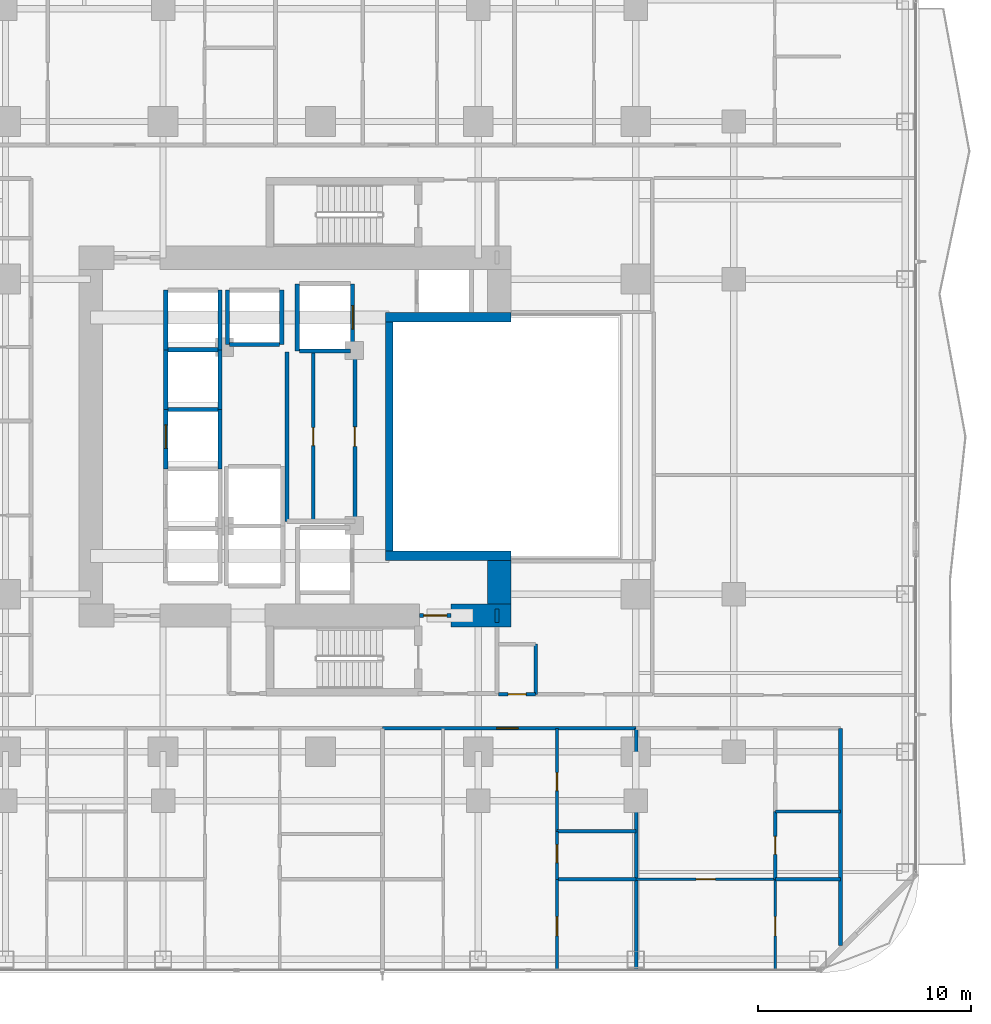
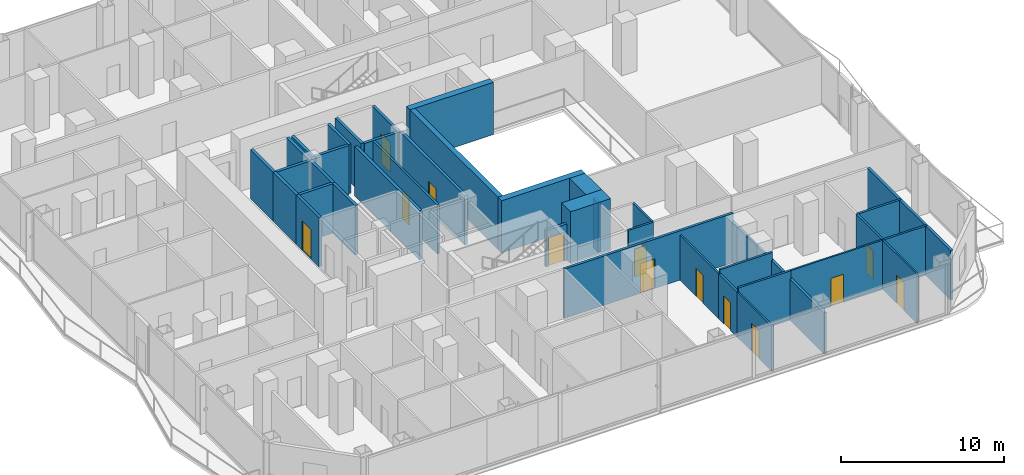
# One storey, part 22 of 30: 39 walls, 13 doors, 13 openings.
"""IFC4 building model written with IfcOpenShell, lengths in metres."""

from ifc_helpers import new_model, si_unit, direction, frame, frame_2d, origin, place, context, subcontext, project, spatial, rectangle, extrude, material, layer, layer_set, type_object, element, fill, save


model = new_model("IFC4")

# Units and contexts
model_context = context("Model", 3, precision=1e-05, world=origin(), true_north=direction((0.0, 1.0)))
body_context = subcontext(model_context, "Body", "Model", "MODEL_VIEW")
ifc_project = project(units=[si_unit("LENGTHUNIT", "METRE"), si_unit("AREAUNIT", "SQUARE_METRE"), si_unit("VOLUMEUNIT", "CUBIC_METRE"), si_unit("PLANEANGLEUNIT", "RADIAN"), si_unit("MASSUNIT", "GRAM", prefix="KILO")], contexts=[model_context])

# Site, building, storey
site_placement = place(None, origin())
site = spatial("IfcSite", under=ifc_project, at=site_placement, CompositionType="ELEMENT")
building_placement = place(site_placement, origin())
building = spatial("IfcBuilding", under=site, at=building_placement, Name="Khorvyn Point Tower", CompositionType="ELEMENT")
storey_placement = place(building_placement, frame((0.0, 0.0, 30.60009765625)))
storey = spatial("IfcBuildingStorey", under=building, at=storey_placement, Name="L08", CompositionType="ELEMENT", Elevation=30.60009765625)

# Wall, opening, door
ifc_material_1 = material(Name="Double acoustic gypsum on twin steel stud", Category="steel")
ifc_layer_1 = layer(ifc_material_1, 0.179931640625)
ifc_layer_set_1 = layer_set([ifc_layer_1], Name="Acoustic Double-Stud Apartment Demising Wall 180")
wall_type_1 = type_object("IfcWallType", Name="Acoustic Double-Stud Apartment Demising Wall 180", PredefinedType="PARTITIONING", material=ifc_layer_set_1)
wall_1_placement = place(storey_placement, frame((2.89990234375, -13.699951171875, 0.0), z_axis=(0.0, 0.0, 1.0), x_axis=(1.0, 0.0, 0.0)))
wall_1 = element("IfcWall", 1, at=wall_1_placement, inside=storey, type_object=wall_type_1, Name="Wall", PredefinedType="PARTITIONING", context=body_context, shape_type="SweptSolid", body=[
    extrude(rectangle(XDim=11.922119140625, YDim=0.179931640625, at=frame_2d((5.9609375, 0.0))), origin(), (0.0, 0.0, 1.0), 3.679931640625),
])
opening_1_placement = place(wall_1_placement, frame((5.37109375, 0.0, 0.0)))
opening_1 = element("IfcOpeningElement", 2, at=opening_1_placement, cuts=wall_1, Name="Opening ID-AP60", PredefinedType="OPENING", context=body_context, shape_type="SweptSolid", body=[
    extrude(rectangle(XDim=1.0, YDim=2.199951171875, at=frame_2d((0.5, 1.10009765625))), frame((0.0, 0.099853515625, 0.0), z_axis=(0.0, -1.0, 0.0), x_axis=(1.0, 0.0, 0.0)), (0.0, 0.0, 1.0), 0.199951171875),
])
ifc_material_2 = material(Name="Engineered hardwood fire-rated leaf", Category="wood")
door_type_1 = type_object("IfcDoorType", Name="Acoustic Solid-Core Timber Apartment Entrance Door 1000x2200", OperationType="NOTDEFINED", PredefinedType="DOOR", material=ifc_material_2)
door_1_placement = place(opening_1_placement, origin())
door_1 = element("IfcDoor", 3, at=door_1_placement, inside=storey, type_object=door_type_1, Name="Door", OperationType="SINGLE_SWING_RIGHT", OverallHeight=2.199951171875, OverallWidth=1.0, PredefinedType="DOOR", context=body_context, shape_type="SweptSolid", body=[
    extrude(rectangle(XDim=1.0, YDim=2.199951171875, at=frame_2d((0.5, 1.10009765625))), frame((0.0, 0.02490234375, 0.0), z_axis=(0.0, -1.0, 0.0), x_axis=(1.0, 0.0, 0.0)), (0.0, 0.0, 1.0), 0.050048828125),
])
fill(opening_1, door_1)

# Walls
wall_2_placement = place(storey_placement, frame((24.419921875, -23.909912109375, 0.0), z_axis=(0.0, 0.0, 1.0), x_axis=(0.0, 1.0, 0.0)))
element("IfcWall", 4, at=wall_2_placement, inside=storey, type_object=wall_type_1, Name="Wall", PredefinedType="PARTITIONING", context=body_context, shape_type="SweptSolid", body=[
    extrude(rectangle(XDim=10.2099609375, YDim=0.179931640625, at=frame_2d((5.10498046875, 0.0))), origin(), (0.0, 0.0, 1.0), 3.679931640625),
])
wall_3_placement = place(storey_placement, frame((14.822021484375, -25.030029296875, 0.0), z_axis=(0.0, 0.0, 1.0), x_axis=(0.0, 1.0, 0.0)))
element("IfcWall", 5, at=wall_3_placement, inside=storey, type_object=wall_type_1, Name="Wall", PredefinedType="PARTITIONING", context=body_context, shape_type="SweptSolid", body=[
    extrude(rectangle(XDim=11.330078125, YDim=0.179931640625, at=frame_2d((5.6650390625, 0.0))), origin(), (0.0, 0.0, 1.0), 3.081787109375),
])
ifc_material_3 = material(Name="Concrete C40/50", Category="concrete")
ifc_layer_2 = layer(ifc_material_3, 0.449951171875)
ifc_layer_set_2 = layer_set([ifc_layer_2], Name="Concrete C40/50 Core Shear Wall 450")
wall_type_2 = type_object("IfcWallType", Name="Concrete C40/50 Core Shear Wall 450", PredefinedType="SHEAR", material=ifc_layer_set_2)
for number, where, z_axis, x_axis, name in (
    (6, (3.044921875, -5.60009765625, 0.0), (0.0, 0.0, 1.0), (1.0, 0.0, 0.0), "Wall"),
    (7, (3.044921875, 5.60009765625, 0.0), (0.0, 0.0, 1.0), (1.0, 0.0, 0.0), "Wall"),
):
    element("IfcWall", number, at=place(storey_placement, frame(where, z_axis=z_axis, x_axis=x_axis)), inside=storey, type_object=wall_type_2, Name=name, PredefinedType="SHEAR", context=body_context, shape_type="SweptSolid", body=[
        extrude(rectangle(XDim=5.905029296875, YDim=0.449951171875, at=frame_2d((2.95263671875, 0.0))), origin(), (0.0, 0.0, 1.0), 3.89990234375),
    ])

# Wall, opening, door
ifc_layer_3 = layer(ifc_material_3, 0.199951171875)
ifc_layer_set_3 = layer_set([ifc_layer_3], Name="Concrete C40/50 Fire-Lobby Compartment Wall 200")
wall_type_3 = type_object("IfcWallType", Name="Concrete C40/50 Fire-Lobby Compartment Wall 200", PredefinedType="SOLIDWALL", material=ifc_layer_set_3)
wall_4_placement = place(storey_placement, frame((4.64990234375, -8.39990234375, 0.0), z_axis=(0.0, 0.0, 1.0), x_axis=(1.0, 0.0, 0.0)))
wall_4 = element("IfcWall", 8, at=wall_4_placement, inside=storey, type_object=wall_type_3, Name="Wall", PredefinedType="SOLIDWALL", context=body_context, shape_type="SweptSolid", body=[
    extrude(rectangle(XDim=1.47021484375, YDim=0.199951171875, at=frame_2d((0.735107421875, 0.0))), origin(), (0.0, 0.0, 1.0), 2.719970703125),
])
opening_2_placement = place(wall_4_placement, frame((0.18505859375, 0.0, 0.0)))
opening_2 = element("IfcOpeningElement", 9, at=opening_2_placement, cuts=wall_4, Name="Opening ID-FL90", PredefinedType="OPENING", context=body_context, shape_type="SweptSolid", body=[
    extrude(rectangle(XDim=1.10009765625, YDim=2.14990234375, at=frame_2d((0.550048828125, 1.074951171875))), frame((0.0, 0.10986328125, 0.0), z_axis=(0.0, -1.0, 0.0), x_axis=(1.0, 0.0, 0.0)), (0.0, 0.0, 1.0), 0.219970703125),
])
ifc_material_4 = material(Name="Galvanised powder-coated steel", Category="steel")
door_type_2 = type_object("IfcDoorType", Name="Fire-Rated Steel Lobby and Stair Door 1100x2150", OperationType="NOTDEFINED", PredefinedType="DOOR", material=ifc_material_4)
door_2_placement = place(opening_2_placement, origin())
door_2 = element("IfcDoor", 10, at=door_2_placement, inside=storey, type_object=door_type_2, Name="Door", OperationType="SINGLE_SWING_LEFT", OverallHeight=2.14990234375, OverallWidth=1.10009765625, PredefinedType="DOOR", context=body_context, shape_type="SweptSolid", body=[
    extrude(rectangle(XDim=1.10009765625, YDim=2.14990234375, at=frame_2d((0.550048828125, 1.074951171875))), frame((0.0, 0.02490234375, 0.0), z_axis=(0.0, -1.0, 0.0), x_axis=(1.0, 0.0, 0.0)), (0.0, 0.0, 1.0), 0.050048828125),
])
fill(opening_2, door_2)

wall_5_placement = place(storey_placement, frame((1.610107421875, -3.97998046875, 0.0), z_axis=(0.0, 0.0, 1.0), x_axis=(0.0, 1.0, 0.0)))
wall_5 = element("IfcWall", 11, at=wall_5_placement, inside=storey, type_object=wall_type_3, Name="Wall", PredefinedType="SOLIDWALL", context=body_context, shape_type="SweptSolid", body=[
    extrude(rectangle(XDim=7.9599609375, YDim=0.199951171875, at=frame_2d((3.97998046875, 0.0))), origin(), (0.0, 0.0, 1.0), 3.679931640625),
])
opening_3_placement = place(wall_5_placement, frame((3.52001953125, 0.0, 0.0)))
opening_3 = element("IfcOpeningElement", 12, at=opening_3_placement, cuts=wall_5, Name="Opening ID-RS60", PredefinedType="OPENING", context=body_context, shape_type="SweptSolid", body=[
    extrude(rectangle(XDim=0.919921875, YDim=2.10009765625, at=frame_2d((0.4599609375, 1.050048828125))), frame((0.0, 0.10986328125, 0.0), z_axis=(0.0, -1.0, 0.0), x_axis=(1.0, 0.0, 0.0)), (0.0, 0.0, 1.0), 0.219970703125),
])
door_type_3 = type_object("IfcDoorType", Name="Fire-Rated Riser and Store Steel Door 920x2100", OperationType="NOTDEFINED", PredefinedType="DOOR", material=ifc_material_4)
door_3_placement = place(opening_3_placement, origin())
door_3 = element("IfcDoor", 13, at=door_3_placement, inside=storey, type_object=door_type_3, Name="Door", OperationType="SINGLE_SWING_LEFT", OverallHeight=2.10009765625, OverallWidth=0.919921875, PredefinedType="DOOR", context=body_context, shape_type="SweptSolid", body=[
    extrude(rectangle(XDim=0.919921875, YDim=2.10009765625, at=frame_2d((0.4599609375, 1.050048828125))), frame((0.0, 0.02490234375, 0.0), z_axis=(0.0, -1.0, 0.0), x_axis=(1.0, 0.0, 0.0)), (0.0, 0.0, 1.0), 0.050048828125),
])
fill(opening_3, door_3)

# Walls
wall_6_placement = place(storey_placement, frame((-1.580078125, -3.97998046875, 0.0), z_axis=(0.0, 0.0, 1.0), x_axis=(0.0, 1.0, 0.0)))
element("IfcWall", 14, at=wall_6_placement, inside=storey, type_object=wall_type_3, Name="Wall", PredefinedType="SOLIDWALL", context=body_context, shape_type="SweptSolid", body=[
    extrude(rectangle(XDim=7.9599609375, YDim=0.199951171875, at=frame_2d((3.97998046875, 0.0))), origin(), (0.0, 0.0, 1.0), 3.679931640625),
])
wall_7_placement = place(storey_placement, frame((8.280029296875, -8.72509765625, 0.0), z_axis=(0.0, 0.0, 1.0), x_axis=(0.0, 1.0, 0.0)))
element("IfcWall", 15, at=wall_7_placement, inside=storey, type_object=wall_type_3, Name="Wall", PredefinedType="SOLIDWALL", context=body_context, shape_type="SweptSolid", body=[
    extrude(rectangle(XDim=0.625, YDim=0.199951171875, at=frame_2d((0.3125, 0.0))), origin(), (0.0, 0.0, 1.0), 3.679931640625),
])
ifc_layer_4 = layer(ifc_material_3, 0.35009765625)
ifc_layer_set_4 = layer_set([ifc_layer_4], Name="Concrete C40/50 Stair Shaft Structural Wall 350")
wall_type_4 = type_object("IfcWallType", Name="Concrete C40/50 Stair Shaft Structural Wall 350", PredefinedType="SHEAR", material=ifc_layer_set_4)
wall_8_placement = place(storey_placement, frame((3.219970703125, -5.375, 0.0), z_axis=(0.0, 0.0, 1.0), x_axis=(0.0, 1.0, 0.0)))
element("IfcWall", 16, at=wall_8_placement, inside=storey, type_object=wall_type_4, Name="Wall", PredefinedType="SHEAR", context=body_context, shape_type="SweptSolid", body=[
    extrude(rectangle(XDim=10.75, YDim=0.35009765625, at=frame_2d((5.375, 0.0))), origin(), (0.0, 0.0, 1.0), 3.89990234375),
])

# Wall, opening, door
ifc_layer_5 = layer(ifc_material_3, 0.199951171875)
ifc_layer_set_5 = layer_set([ifc_layer_5], Name="Concrete C40/50 Structural Hoistway and Stair Shaft Wall 200")
wall_type_5 = type_object("IfcWallType", Name="Concrete C40/50 Structural Hoistway and Stair Shaft Wall 200", PredefinedType="SHEAR", material=ifc_layer_set_5)
wall_9_placement = place(storey_placement, frame((-7.27490234375, -1.52490234375, 0.0), z_axis=(0.0, 0.0, 1.0), x_axis=(0.0, 1.0, 0.0)))
wall_9 = element("IfcWall", 17, at=wall_9_placement, inside=storey, type_object=wall_type_5, Name="Wall", PredefinedType="SHEAR", context=body_context, shape_type="SweptSolid", body=[
    extrude(rectangle(XDim=2.7998046875, YDim=0.199951171875, at=frame_2d((1.39990234375, 0.0))), origin(), (0.0, 0.0, 1.0), 3.679931640625),
])
opening_4_placement = place(wall_9_placement, frame((0.97509765625, 0.0, 0.0)))
opening_4 = element("IfcOpeningElement", 18, at=opening_4_placement, cuts=wall_9, Name="Opening LD-1122", PredefinedType="OPENING", context=body_context, shape_type="SweptSolid", body=[
    extrude(rectangle(XDim=1.10009765625, YDim=2.199951171875, at=frame_2d((0.550048828125, 1.10009765625))), frame((0.0, 0.10986328125, 0.0), z_axis=(0.0, -1.0, 0.0), x_axis=(1.0, 0.0, 0.0)), (0.0, 0.0, 1.0), 0.219970703125),
])
ifc_material_5 = material(Name="Stainless steel 1.4301", Category="steel")
door_type_4 = type_object("IfcDoorType", Name="Stainless Steel Automatic Sliding Lift Landing Door 1100x2200", OperationType="SLIDING_TO_LEFT", PredefinedType="DOOR", material=ifc_material_5)
door_4_placement = place(opening_4_placement, origin())
door_4 = element("IfcDoor", 19, at=door_4_placement, inside=storey, type_object=door_type_4, Name="L08 RL-03 Sliding Lift Landing Door", OperationType="SLIDING_TO_LEFT", OverallHeight=2.199951171875, OverallWidth=1.10009765625, PredefinedType="DOOR", context=body_context, shape_type="SweptSolid", body=[
    extrude(rectangle(XDim=1.10009765625, YDim=2.199951171875, at=frame_2d((0.550048828125, 1.10009765625))), frame((0.0, 0.02490234375, 0.0), z_axis=(0.0, -1.0, 0.0), x_axis=(1.0, 0.0, 0.0)), (0.0, 0.0, 1.0), 0.050048828125),
])
fill(opening_4, door_4)

# Walls
wall_10_placement = place(storey_placement, frame((-4.72509765625, -1.52490234375, 0.0), z_axis=(0.0, 0.0, 1.0), x_axis=(0.0, 1.0, 0.0)))
element("IfcWall", 20, at=wall_10_placement, inside=storey, type_object=wall_type_5, Name="Wall", PredefinedType="SHEAR", context=body_context, shape_type="SweptSolid", body=[
    extrude(rectangle(XDim=2.7998046875, YDim=0.199951171875, at=frame_2d((1.39990234375, 0.0))), origin(), (0.0, 0.0, 1.0), 3.679931640625),
])
wall_11_placement = place(storey_placement, frame((-7.175048828125, 1.27490234375, 0.0), z_axis=(0.0, 0.0, 1.0), x_axis=(1.0, 0.0, 0.0)))
element("IfcWall", 21, at=wall_11_placement, inside=storey, type_object=wall_type_5, Name="Wall", PredefinedType="SHEAR", context=body_context, shape_type="SweptSolid", body=[
    extrude(rectangle(XDim=2.35009765625, YDim=0.199951171875, at=frame_2d((1.175048828125, 0.0))), origin(), (0.0, 0.0, 1.0), 3.679931640625),
])
for number, where, z_axis, x_axis, name in (
    (22, (-7.27490234375, 1.27490234375, 0.0), (0.0, 0.0, 1.0), (0.0, 1.0, 0.0), "Wall"),
    (23, (-4.72509765625, 1.27490234375, 0.0), (0.0, 0.0, 1.0), (0.0, 1.0, 0.0), "Wall"),
):
    element("IfcWall", number, at=place(storey_placement, frame(where, z_axis=z_axis, x_axis=x_axis)), inside=storey, type_object=wall_type_5, Name=name, PredefinedType="SHEAR", context=body_context, shape_type="SweptSolid", body=[
        extrude(rectangle(XDim=2.800048828125, YDim=0.199951171875, at=frame_2d((1.39990234375, 0.0))), origin(), (0.0, 0.0, 1.0), 3.679931640625),
    ])
wall_12_placement = place(storey_placement, frame((-7.175048828125, 4.074951171875, 0.0), z_axis=(0.0, 0.0, 1.0), x_axis=(1.0, 0.0, 0.0)))
element("IfcWall", 24, at=wall_12_placement, inside=storey, type_object=wall_type_5, Name="Wall", PredefinedType="SHEAR", context=body_context, shape_type="SweptSolid", body=[
    extrude(rectangle(XDim=2.35009765625, YDim=0.199951171875, at=frame_2d((1.175048828125, 0.0))), origin(), (0.0, 0.0, 1.0), 3.679931640625),
])
for number, where, z_axis, x_axis, name in (
    (25, (-7.27490234375, 4.074951171875, 0.0), (0.0, 0.0, 1.0), (0.0, 1.0, 0.0), "Wall"),
    (26, (-4.72509765625, 4.074951171875, 0.0), (0.0, 0.0, 1.0), (0.0, 1.0, 0.0), "Wall"),
):
    element("IfcWall", number, at=place(storey_placement, frame(where, z_axis=z_axis, x_axis=x_axis)), inside=storey, type_object=wall_type_5, Name=name, PredefinedType="SHEAR", context=body_context, shape_type="SweptSolid", body=[
        extrude(rectangle(XDim=2.800048828125, YDim=0.199951171875, at=frame_2d((1.39990234375, 0.0))), origin(), (0.0, 0.0, 1.0), 3.679931640625),
    ])
for number, where, z_axis, x_axis, name in (
    (27, (-4.375, 4.324951171875, 0.0), (0.0, 0.0, 1.0), (0.0, 1.0, 0.0), "Wall"),
    (28, (-1.824951171875, 4.324951171875, 0.0), (0.0, 0.0, 1.0), (0.0, 1.0, 0.0), "Wall"),
):
    element("IfcWall", number, at=place(storey_placement, frame(where, z_axis=z_axis, x_axis=x_axis)), inside=storey, type_object=wall_type_5, Name=name, PredefinedType="SHEAR", context=body_context, shape_type="SweptSolid", body=[
        extrude(rectangle(XDim=2.550048828125, YDim=0.199951171875, at=frame_2d((1.27490234375, 0.0))), origin(), (0.0, 0.0, 1.0), 3.679931640625),
    ])
wall_13_placement = place(storey_placement, frame((-4.27490234375, 4.324951171875, 0.0), z_axis=(0.0, 0.0, 1.0), x_axis=(1.0, 0.0, 0.0)))
element("IfcWall", 29, at=wall_13_placement, inside=storey, type_object=wall_type_5, Name="Wall", PredefinedType="SHEAR", context=body_context, shape_type="SweptSolid", body=[
    extrude(rectangle(XDim=2.349853515625, YDim=0.199951171875, at=frame_2d((1.1748046875, 0.0))), origin(), (0.0, 0.0, 1.0), 3.679931640625),
])
wall_14_placement = place(storey_placement, frame((-1.10009765625, 4.02490234375, 0.0), z_axis=(0.0, 0.0, 1.0), x_axis=(0.0, 1.0, 0.0)))
element("IfcWall", 30, at=wall_14_placement, inside=storey, type_object=wall_type_5, Name="Wall", PredefinedType="SHEAR", context=body_context, shape_type="SweptSolid", body=[
    extrude(rectangle(XDim=3.150146484375, YDim=0.199951171875, at=frame_2d((1.5751953125, 0.0))), origin(), (0.0, 0.0, 1.0), 3.679931640625),
])

# Wall, opening, door
wall_15_placement = place(storey_placement, frame((1.5, 4.02490234375, 0.0), z_axis=(0.0, 0.0, 1.0), x_axis=(0.0, 1.0, 0.0)))
wall_15 = element("IfcWall", 31, at=wall_15_placement, inside=storey, type_object=wall_type_5, Name="Wall", PredefinedType="SHEAR", context=body_context, shape_type="SweptSolid", body=[
    extrude(rectangle(XDim=3.150146484375, YDim=0.199951171875, at=frame_2d((1.5751953125, 0.0))), origin(), (0.0, 0.0, 1.0), 3.679931640625),
])
opening_5_placement = place(wall_15_placement, frame((1.02490234375, 0.0, 0.0)))
opening_5 = element("IfcOpeningElement", 32, at=opening_5_placement, cuts=wall_15, Name="Opening LD-1122", PredefinedType="OPENING", context=body_context, shape_type="SweptSolid", body=[
    extrude(rectangle(XDim=1.10009765625, YDim=2.199951171875, at=frame_2d((0.550048828125, 1.10009765625))), frame((0.0, 0.10986328125, 0.0), z_axis=(0.0, -1.0, 0.0), x_axis=(1.0, 0.0, 0.0)), (0.0, 0.0, 1.0), 0.219970703125),
])
door_5_placement = place(opening_5_placement, origin())
door_5 = element("IfcDoor", 33, at=door_5_placement, inside=storey, type_object=door_type_4, Name="L08 SV-01 Sliding Lift Landing Door", OperationType="SLIDING_TO_LEFT", OverallHeight=2.199951171875, OverallWidth=1.10009765625, PredefinedType="DOOR", context=body_context, shape_type="SweptSolid", body=[
    extrude(rectangle(XDim=1.10009765625, YDim=2.199951171875, at=frame_2d((0.550048828125, 1.10009765625))), frame((0.0, 0.02490234375, 0.0), z_axis=(0.0, -1.0, 0.0), x_axis=(1.0, 0.0, 0.0)), (0.0, 0.0, 1.0), 0.050048828125),
])
fill(opening_5, door_5)

# Walls
wall_16_placement = place(storey_placement, frame((-1.0, 4.02490234375, 0.0), z_axis=(0.0, 0.0, 1.0), x_axis=(1.0, 0.0, 0.0)))
element("IfcWall", 34, at=wall_16_placement, inside=storey, type_object=wall_type_5, Name="Wall", PredefinedType="SHEAR", context=body_context, shape_type="SweptSolid", body=[
    extrude(rectangle(XDim=2.39990234375, YDim=0.199951171875, at=frame_2d((1.199951171875, 0.0))), origin(), (0.0, 0.0, 1.0), 3.679931640625),
])
ifc_material_6 = material(Name="Concrete C50/60", Category="concrete")
ifc_layer_6 = layer(ifc_material_6, 1.10009765625)
ifc_layer_set_6 = layer_set([ifc_layer_6], Name="Concrete C50/60 Core Shear Wall 1100")
wall_type_6 = type_object("IfcWallType", Name="Concrete C50/60 Core Shear Wall 1100", PredefinedType="SHEAR", material=ifc_layer_set_6)
wall_17_placement = place(storey_placement, frame((6.1201171875, -8.39990234375, 0.0), z_axis=(0.0, 0.0, 1.0), x_axis=(1.0, 0.0, 0.0)))
element("IfcWall", 35, at=wall_17_placement, inside=storey, type_object=wall_type_6, Name="Wall", PredefinedType="SHEAR", context=body_context, shape_type="SweptSolid", body=[
    extrude(rectangle(XDim=2.829833984375, YDim=1.10009765625, at=frame_2d((1.4150390625, 0.0))), origin(), (0.0, 0.0, 1.0), 3.89990234375),
])
wall_18_placement = place(storey_placement, frame((8.39990234375, -7.85009765625, 0.0), z_axis=(0.0, 0.0, 1.0), x_axis=(0.0, 1.0, 0.0)))
element("IfcWall", 36, at=wall_18_placement, inside=storey, type_object=wall_type_6, Name="Wall", PredefinedType="SHEAR", context=body_context, shape_type="SweptSolid", body=[
    extrude(rectangle(XDim=2.025146484375, YDim=1.10009765625, at=frame_2d((1.0126953125, 0.0))), origin(), (0.0, 0.0, 1.0), 3.89990234375),
])

# Wall, opening, door
ifc_material_7 = material(Name="Gypsum plasterboard on steel stud", Category="steel")
ifc_layer_7 = layer(ifc_material_7, 0.1201171875)
ifc_layer_set_7 = layer_set([ifc_layer_7], Name="Gypsum Acoustic Stud Room Partition Wall 120")
wall_type_7 = type_object("IfcWallType", Name="Gypsum Acoustic Stud Room Partition Wall 120", PredefinedType="PARTITIONING", material=ifc_layer_set_7)
wall_19_placement = place(storey_placement, frame((11.10205078125, -18.534912109375, 0.0), z_axis=(0.0, 0.0, 1.0), x_axis=(0.0, 1.0, 0.0)))
wall_19 = element("IfcWall", 37, at=wall_19_placement, inside=storey, type_object=wall_type_7, Name="Wall", PredefinedType="PARTITIONING", context=body_context, shape_type="SweptSolid", body=[
    extrude(rectangle(XDim=4.8349609375, YDim=0.1201171875, at=frame_2d((2.41748046875, 0.0))), origin(), (0.0, 0.0, 1.0), 3.369873046875),
])
opening_6_placement = place(wall_19_placement, frame((1.9052734375, 0.0, 0.0)))
opening_6 = element("IfcOpeningElement", 38, at=opening_6_placement, cuts=wall_19, Name="Opening ID-WC85", PredefinedType="OPENING", context=body_context, shape_type="SweptSolid", body=[
    extrude(rectangle(XDim=0.85009765625, YDim=2.10009765625, at=frame_2d((0.425048828125, 1.050048828125))), frame((0.0, 0.070068359375, 0.0), z_axis=(0.0, -1.0, 0.0), x_axis=(1.0, 0.0, 0.0)), (0.0, 0.0, 1.0), 0.14013671875),
])
ifc_material_8 = material(Name="High-pressure laminate on moisture-resistant core", Category="wood")
door_type_5 = type_object("IfcDoorType", Name="Moisture-Resistant Accessible Washroom Door 850x2100", OperationType="NOTDEFINED", PredefinedType="DOOR", material=ifc_material_8)
door_6_placement = place(opening_6_placement, origin())
door_6 = element("IfcDoor", 39, at=door_6_placement, inside=storey, type_object=door_type_5, Name="Door", OperationType="SINGLE_SWING_RIGHT", OverallHeight=2.10009765625, OverallWidth=0.85009765625, PredefinedType="DOOR", context=body_context, shape_type="SweptSolid", body=[
    extrude(rectangle(XDim=0.85009765625, YDim=2.10009765625, at=frame_2d((0.425048828125, 1.050048828125))), frame((0.0, 0.02490234375, 0.0), z_axis=(0.0, -1.0, 0.0), x_axis=(1.0, 0.0, 0.0)), (0.0, 0.0, 1.0), 0.050048828125),
])
fill(opening_6, door_6)

wall_20_placement = place(storey_placement, frame((11.10205078125, -25.030029296875, 0.0), z_axis=(0.0, 0.0, 1.0), x_axis=(0.0, 1.0, 0.0)))
wall_20 = element("IfcWall", 40, at=wall_20_placement, inside=storey, type_object=wall_type_7, Name="Wall", PredefinedType="PARTITIONING", context=body_context, shape_type="SweptSolid", body=[
    extrude(rectangle(XDim=4.239990234375, YDim=0.1201171875, at=frame_2d((2.1201171875, 0.0))), origin(), (0.0, 0.0, 1.0), 3.369873046875),
])
opening_7_placement = place(wall_20_placement, frame((1.581298828125, 0.0, 0.0)))
opening_7 = element("IfcOpeningElement", 41, at=opening_7_placement, cuts=wall_20, Name="Opening ID-RM90", PredefinedType="OPENING", context=body_context, shape_type="SweptSolid", body=[
    extrude(rectangle(XDim=0.89990234375, YDim=2.10009765625, at=frame_2d((0.449951171875, 1.050048828125))), frame((0.0, 0.070068359375, 0.0), z_axis=(0.0, -1.0, 0.0), x_axis=(1.0, 0.0, 0.0)), (0.0, 0.0, 1.0), 0.14013671875),
])
ifc_material_9 = material(Name="Engineered oak veneer timber", Category="wood")
door_type_6 = type_object("IfcDoorType", Name="Flush Engineered Timber Room Door 900x2100", OperationType="NOTDEFINED", PredefinedType="DOOR", material=ifc_material_9)
door_7_placement = place(opening_7_placement, origin())
door_7 = element("IfcDoor", 42, at=door_7_placement, inside=storey, type_object=door_type_6, Name="Door", OperationType="SINGLE_SWING_LEFT", OverallHeight=2.10009765625, OverallWidth=0.89990234375, PredefinedType="DOOR", context=body_context, shape_type="SweptSolid", body=[
    extrude(rectangle(XDim=0.89990234375, YDim=2.10009765625, at=frame_2d((0.449951171875, 1.050048828125))), frame((0.0, 0.02490234375, 0.0), z_axis=(0.0, -1.0, 0.0), x_axis=(1.0, 0.0, 0.0)), (0.0, 0.0, 1.0), 0.050048828125),
])
fill(opening_7, door_7)

wall_21_placement = place(storey_placement, frame((14.822021484375, -20.7900390625, 0.0), z_axis=(0.0, 0.0, 1.0), x_axis=(1.0, 0.0, 0.0)))
wall_21 = element("IfcWall", 43, at=wall_21_placement, inside=storey, type_object=wall_type_7, Name="Wall", PredefinedType="PARTITIONING", context=body_context, shape_type="SweptSolid", body=[
    extrude(rectangle(XDim=6.532958984375, YDim=0.1201171875, at=frame_2d((3.2666015625, 0.0))), origin(), (0.0, 0.0, 1.0), 3.679931640625),
])
opening_8_placement = place(wall_21_placement, frame((2.81640625, 0.0, 0.0)))
opening_8 = element("IfcOpeningElement", 44, at=opening_8_placement, cuts=wall_21, Name="Opening ID-RM90", PredefinedType="OPENING", context=body_context, shape_type="SweptSolid", body=[
    extrude(rectangle(XDim=0.89990234375, YDim=2.10009765625, at=frame_2d((0.449951171875, 1.050048828125))), frame((0.0, 0.070068359375, 0.0), z_axis=(0.0, -1.0, 0.0), x_axis=(1.0, 0.0, 0.0)), (0.0, 0.0, 1.0), 0.14013671875),
])
door_8_placement = place(opening_8_placement, origin())
door_8 = element("IfcDoor", 45, at=door_8_placement, inside=storey, type_object=door_type_6, Name="Door", OperationType="SINGLE_SWING_LEFT", OverallHeight=2.10009765625, OverallWidth=0.89990234375, PredefinedType="DOOR", context=body_context, shape_type="SweptSolid", body=[
    extrude(rectangle(XDim=0.89990234375, YDim=2.10009765625, at=frame_2d((0.449951171875, 1.050048828125))), frame((0.0, 0.02490234375, 0.0), z_axis=(0.0, -1.0, 0.0), x_axis=(1.0, 0.0, 0.0)), (0.0, 0.0, 1.0), 0.050048828125),
])
fill(opening_8, door_8)

wall_22_placement = place(storey_placement, frame((21.35498046875, -25.030029296875, 0.0), z_axis=(0.0, 0.0, 1.0), x_axis=(0.0, 1.0, 0.0)))
wall_22 = element("IfcWall", 46, at=wall_22_placement, inside=storey, type_object=wall_type_7, Name="Wall", PredefinedType="PARTITIONING", context=body_context, shape_type="SweptSolid", body=[
    extrude(rectangle(XDim=4.239990234375, YDim=0.1201171875, at=frame_2d((2.1201171875, 0.0))), origin(), (0.0, 0.0, 1.0), 3.679931640625),
])
opening_9_placement = place(wall_22_placement, frame((1.581298828125, 0.0, 0.0)))
opening_9 = element("IfcOpeningElement", 47, at=opening_9_placement, cuts=wall_22, Name="Opening ID-RM90", PredefinedType="OPENING", context=body_context, shape_type="SweptSolid", body=[
    extrude(rectangle(XDim=0.89990234375, YDim=2.10009765625, at=frame_2d((0.449951171875, 1.050048828125))), frame((0.0, 0.070068359375, 0.0), z_axis=(0.0, -1.0, 0.0), x_axis=(1.0, 0.0, 0.0)), (0.0, 0.0, 1.0), 0.14013671875),
])
door_9_placement = place(opening_9_placement, origin())
door_9 = element("IfcDoor", 48, at=door_9_placement, inside=storey, type_object=door_type_6, Name="Door", OperationType="SINGLE_SWING_RIGHT", OverallHeight=2.10009765625, OverallWidth=0.89990234375, PredefinedType="DOOR", context=body_context, shape_type="SweptSolid", body=[
    extrude(rectangle(XDim=0.89990234375, YDim=2.10009765625, at=frame_2d((0.449951171875, 1.050048828125))), frame((0.0, 0.02490234375, 0.0), z_axis=(0.0, -1.0, 0.0), x_axis=(1.0, 0.0, 0.0)), (0.0, 0.0, 1.0), 0.050048828125),
])
fill(opening_9, door_9)

ifc_material_10 = material(Name="Moisture-resistant gypsum and cement board", Category="gypsum")
ifc_layer_8 = layer(ifc_material_10, 0.14990234375)
ifc_layer_set_8 = layer_set([ifc_layer_8], Name="Moisture-Resistant Wet-Room Partition Wall 150")
wall_type_8 = type_object("IfcWallType", Name="Moisture-Resistant Wet-Room Partition Wall 150", PredefinedType="PARTITIONING", material=ifc_layer_set_8)
wall_23_placement = place(storey_placement, frame((-0.35009765625, -3.97998046875, 0.0), z_axis=(0.0, 0.0, 1.0), x_axis=(0.0, 1.0, 0.0)))
wall_23 = element("IfcWall", 49, at=wall_23_placement, inside=storey, type_object=wall_type_8, Name="Wall", PredefinedType="PARTITIONING", context=body_context, shape_type="SweptSolid", body=[
    extrude(rectangle(XDim=7.9599609375, YDim=0.14990234375, at=frame_2d((3.97998046875, 0.0))), origin(), (0.0, 0.0, 1.0), 3.679931640625),
])
opening_10_placement = place(wall_23_placement, frame((3.554931640625, 0.0, 0.0)))
opening_10 = element("IfcOpeningElement", 50, at=opening_10_placement, cuts=wall_23, Name="Opening ID-WC85", PredefinedType="OPENING", context=body_context, shape_type="SweptSolid", body=[
    extrude(rectangle(XDim=0.85009765625, YDim=2.10009765625, at=frame_2d((0.425048828125, 1.050048828125))), frame((0.0, 0.0849609375, 0.0), z_axis=(0.0, -1.0, 0.0), x_axis=(1.0, 0.0, 0.0)), (0.0, 0.0, 1.0), 0.169921875),
])
door_10_placement = place(opening_10_placement, origin())
door_10 = element("IfcDoor", 51, at=door_10_placement, inside=storey, type_object=door_type_5, Name="Door", OperationType="SINGLE_SWING_RIGHT", OverallHeight=2.10009765625, OverallWidth=0.85009765625, PredefinedType="DOOR", context=body_context, shape_type="SweptSolid", body=[
    extrude(rectangle(XDim=0.85009765625, YDim=2.10009765625, at=frame_2d((0.425048828125, 1.050048828125))), frame((0.0, 0.02490234375, 0.0), z_axis=(0.0, -1.0, 0.0), x_axis=(1.0, 0.0, 0.0)), (0.0, 0.0, 1.0), 0.050048828125),
])
fill(opening_10, door_10)

wall_24_placement = place(storey_placement, frame((8.360107421875, -12.10009765625, 0.0), z_axis=(0.0, 0.0, 1.0), x_axis=(1.0, 0.0, 0.0)))
wall_24 = element("IfcWall", 52, at=wall_24_placement, inside=storey, type_object=wall_type_8, Name="Wall", PredefinedType="PARTITIONING", context=body_context, shape_type="SweptSolid", body=[
    extrude(rectangle(XDim=1.739990234375, YDim=0.14990234375, at=frame_2d((0.8701171875, 0.0))), origin(), (0.0, 0.0, 1.0), 3.679931640625),
])
opening_11_placement = place(wall_24_placement, frame((0.445068359375, 0.0, 0.0)))
opening_11 = element("IfcOpeningElement", 53, at=opening_11_placement, cuts=wall_24, Name="Opening ID-WC85", PredefinedType="OPENING", context=body_context, shape_type="SweptSolid", body=[
    extrude(rectangle(XDim=0.85009765625, YDim=2.10009765625, at=frame_2d((0.425048828125, 1.050048828125))), frame((0.0, 0.0849609375, 0.0), z_axis=(0.0, -1.0, 0.0), x_axis=(1.0, 0.0, 0.0)), (0.0, 0.0, 1.0), 0.169921875),
])
door_11_placement = place(opening_11_placement, origin())
door_11 = element("IfcDoor", 54, at=door_11_placement, inside=storey, type_object=door_type_5, Name="Door", OperationType="SINGLE_SWING_RIGHT", OverallHeight=2.10009765625, OverallWidth=0.85009765625, PredefinedType="DOOR", context=body_context, shape_type="SweptSolid", body=[
    extrude(rectangle(XDim=0.85009765625, YDim=2.10009765625, at=frame_2d((0.425048828125, 1.050048828125))), frame((0.0, 0.02490234375, 0.0), z_axis=(0.0, -1.0, 0.0), x_axis=(1.0, 0.0, 0.0)), (0.0, 0.0, 1.0), 0.050048828125),
])
fill(opening_11, door_11)

wall_25_placement = place(storey_placement, frame((11.10205078125, -20.7900390625, 0.0), z_axis=(0.0, 0.0, 1.0), x_axis=(0.0, 1.0, 0.0)))
wall_25 = element("IfcWall", 55, at=wall_25_placement, inside=storey, type_object=wall_type_8, Name="Wall", PredefinedType="PARTITIONING", context=body_context, shape_type="SweptSolid", body=[
    extrude(rectangle(XDim=2.255126953125, YDim=0.14990234375, at=frame_2d((1.12744140625, 0.0))), origin(), (0.0, 0.0, 1.0), 3.369873046875),
])
opening_12_placement = place(wall_25_placement, frame((0.780029296875, 0.0, 0.0)))
opening_12 = element("IfcOpeningElement", 56, at=opening_12_placement, cuts=wall_25, Name="Opening ID-WC85", PredefinedType="OPENING", context=body_context, shape_type="SweptSolid", body=[
    extrude(rectangle(XDim=0.85009765625, YDim=2.10009765625, at=frame_2d((0.425048828125, 1.050048828125))), frame((0.0, 0.0849609375, 0.0), z_axis=(0.0, -1.0, 0.0), x_axis=(1.0, 0.0, 0.0)), (0.0, 0.0, 1.0), 0.169921875),
])
door_12_placement = place(opening_12_placement, origin())
door_12 = element("IfcDoor", 57, at=door_12_placement, inside=storey, type_object=door_type_5, Name="Door", OperationType="SINGLE_SWING_LEFT", OverallHeight=2.10009765625, OverallWidth=0.85009765625, PredefinedType="DOOR", context=body_context, shape_type="SweptSolid", body=[
    extrude(rectangle(XDim=0.85009765625, YDim=2.10009765625, at=frame_2d((0.425048828125, 1.050048828125))), frame((0.0, 0.02490234375, 0.0), z_axis=(0.0, -1.0, 0.0), x_axis=(1.0, 0.0, 0.0)), (0.0, 0.0, 1.0), 0.050048828125),
])
fill(opening_12, door_12)

wall_26_placement = place(storey_placement, frame((21.35498046875, -20.7900390625, 0.0), z_axis=(0.0, 0.0, 1.0), x_axis=(0.0, 1.0, 0.0)))
wall_26 = element("IfcWall", 58, at=wall_26_placement, inside=storey, type_object=wall_type_8, Name="Wall", PredefinedType="PARTITIONING", context=body_context, shape_type="SweptSolid", body=[
    extrude(rectangle(XDim=3.19091796875, YDim=0.14990234375, at=frame_2d((1.595458984375, 0.0))), origin(), (0.0, 0.0, 1.0), 3.679931640625),
])
opening_13_placement = place(wall_26_placement, frame((1.17041015625, 0.0, 0.0)))
opening_13 = element("IfcOpeningElement", 59, at=opening_13_placement, cuts=wall_26, Name="Opening ID-WC85", PredefinedType="OPENING", context=body_context, shape_type="SweptSolid", body=[
    extrude(rectangle(XDim=0.85009765625, YDim=2.10009765625, at=frame_2d((0.425048828125, 1.050048828125))), frame((0.0, 0.0849609375, 0.0), z_axis=(0.0, -1.0, 0.0), x_axis=(1.0, 0.0, 0.0)), (0.0, 0.0, 1.0), 0.169921875),
])
door_13_placement = place(opening_13_placement, origin())
door_13 = element("IfcDoor", 60, at=door_13_placement, inside=storey, type_object=door_type_5, Name="Door", OperationType="SINGLE_SWING_LEFT", OverallHeight=2.10009765625, OverallWidth=0.85009765625, PredefinedType="DOOR", context=body_context, shape_type="SweptSolid", body=[
    extrude(rectangle(XDim=0.85009765625, YDim=2.10009765625, at=frame_2d((0.425048828125, 1.050048828125))), frame((0.0, 0.02490234375, 0.0), z_axis=(0.0, -1.0, 0.0), x_axis=(1.0, 0.0, 0.0)), (0.0, 0.0, 1.0), 0.050048828125),
])
fill(opening_13, door_13)

# Walls
wall_27_placement = place(storey_placement, frame((10.10009765625, -12.10009765625, 0.0), z_axis=(0.0, 0.0, 1.0), x_axis=(0.0, 1.0, 0.0)))
element("IfcWall", 61, at=wall_27_placement, inside=storey, type_object=wall_type_8, Name="Wall", PredefinedType="PARTITIONING", context=body_context, shape_type="SweptSolid", body=[
    extrude(rectangle(XDim=2.35009765625, YDim=0.14990234375, at=frame_2d((1.175048828125, 0.0))), origin(), (0.0, 0.0, 1.0), 3.679931640625),
])
for number, where, z_axis, x_axis, name in (
    (62, (11.10205078125, -18.534912109375, 0.0), (0.0, 0.0, 1.0), (1.0, 0.0, 0.0), "Wall"),
    (63, (11.10205078125, -20.7900390625, 0.0), (0.0, 0.0, 1.0), (1.0, 0.0, 0.0), "Wall"),
):
    element("IfcWall", number, at=place(storey_placement, frame(where, z_axis=z_axis, x_axis=x_axis)), inside=storey, type_object=wall_type_8, Name=name, PredefinedType="PARTITIONING", context=body_context, shape_type="SweptSolid", body=[
        extrude(rectangle(XDim=3.719970703125, YDim=0.14990234375, at=frame_2d((1.85986328125, 0.0))), origin(), (0.0, 0.0, 1.0), 3.679931640625),
    ])
for number, where, z_axis, x_axis, name in (
    (64, (21.35498046875, -17.59912109375, 0.0), (0.0, 0.0, 1.0), (1.0, 0.0, 0.0), "Wall"),
    (65, (21.35498046875, -20.7900390625, 0.0), (0.0, 0.0, 1.0), (1.0, 0.0, 0.0), "Wall"),
):
    element("IfcWall", number, at=place(storey_placement, frame(where, z_axis=z_axis, x_axis=x_axis)), inside=storey, type_object=wall_type_8, Name=name, PredefinedType="PARTITIONING", context=body_context, shape_type="SweptSolid", body=[
        extrude(rectangle(XDim=3.06494140625, YDim=0.14990234375, at=frame_2d((1.532470703125, 0.0))), origin(), (0.0, 0.0, 1.0), 3.679931640625),
    ])

save(model, "model.ifc")
